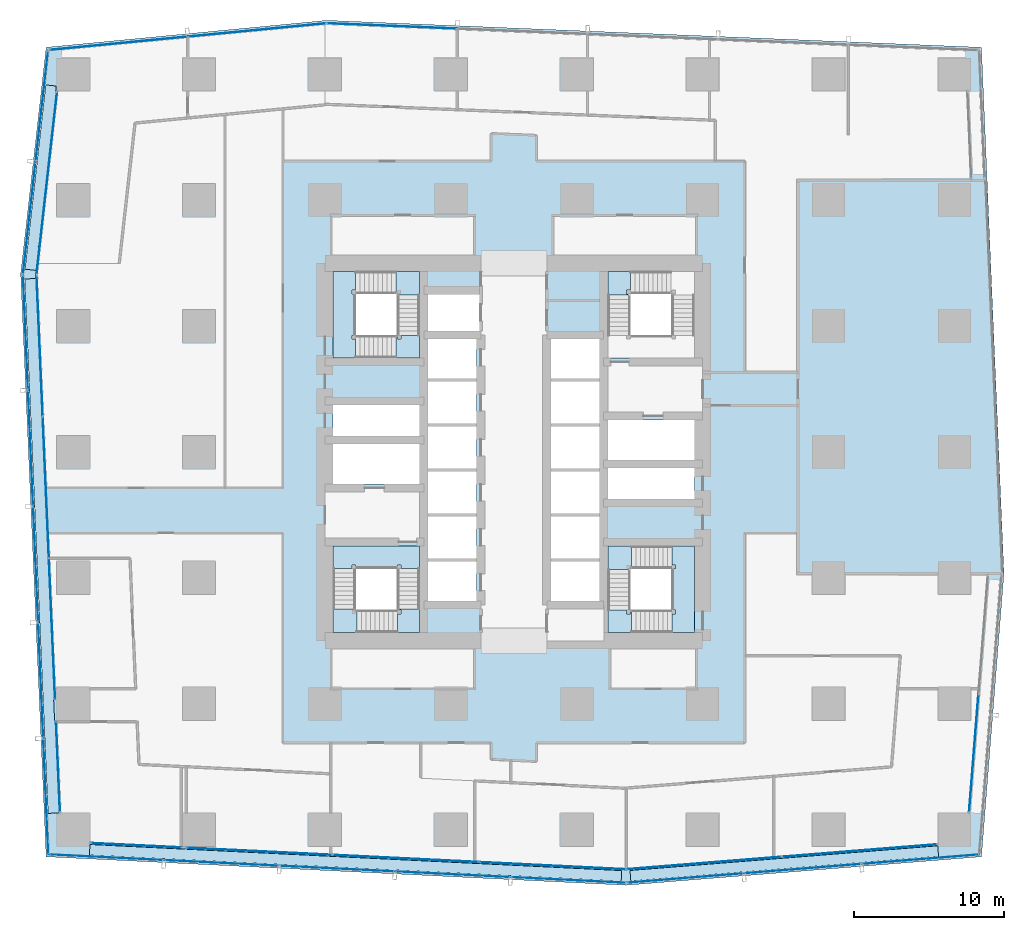
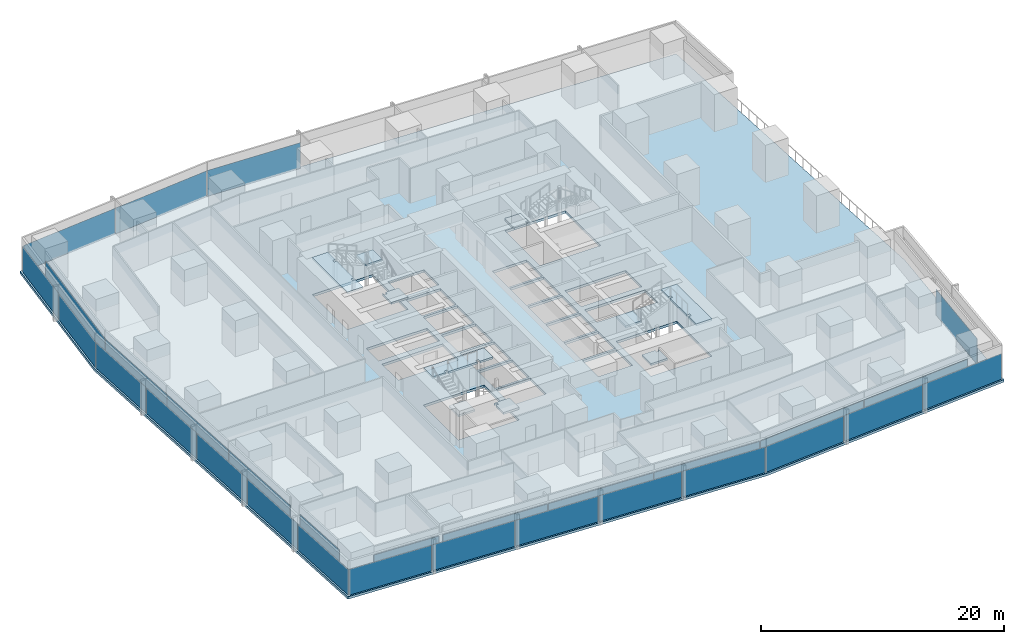
# One storey, part 28 of 42: 34 plates, 11 slabs, 17 elements without a shape of their own.
"""IFC4 building model written with IfcOpenShell, lengths in metres."""

from ifc_helpers import new_model, si_unit, direction, frame, origin, origin_2d, place, context, subcontext, project, spatial, polyline, rectangle, outline, extrude, material, layer, layer_set, type_object, element, aggregate, save


model = new_model("IFC4")

# Units and contexts
model_context = context("Model", 3, precision=1e-05, world=origin(), true_north=direction((0.0, 1.0)))
body_context = subcontext(model_context, "Body", "Model", "MODEL_VIEW")
ifc_project = project(units=[si_unit("LENGTHUNIT", "METRE"), si_unit("AREAUNIT", "SQUARE_METRE"), si_unit("VOLUMEUNIT", "CUBIC_METRE"), si_unit("PLANEANGLEUNIT", "RADIAN"), si_unit("MASSUNIT", "GRAM", prefix="KILO")], contexts=[model_context])

# Site, building, storey
site_placement = place(None, origin())
site = spatial("IfcSite", under=ifc_project, at=site_placement, CompositionType="ELEMENT")
building_placement = place(site_placement, origin())
building = spatial("IfcBuilding", under=site, at=building_placement, Name="Rekha Terrace Tower", CompositionType="ELEMENT")
storey_placement = place(building_placement, frame((0.0, 0.0, 70.39990234375)))
storey = spatial("IfcBuildingStorey", under=building, at=storey_placement, Name="L17", CompositionType="ELEMENT", Elevation=70.39990234375)

# Curtain wall, plate
ifc_material_1 = material(Name="Aluminium framing", Category="aluminium")
curtain_wall_type_1 = type_object("IfcCurtainWallType", Name="CW1 double skin inner glazing", PredefinedType="USERDEFINED", material=ifc_material_1)
curtain_wall_1_placement = place(storey_placement, origin())
curtain_wall_1 = element("IfcCurtainWall", 1, at=curtain_wall_1_placement, inside=storey, type_object=curtain_wall_type_1, Name="CW1 double skin inner glazing", ObjectType="DOUBLE SKIN INNER GLAZING", PredefinedType="USERDEFINED")
ifc_material_2 = material(Name="Double-glazed low-e unit 32", Category="glass")
ifc_layer_1 = layer(ifc_material_2, 0.031982421875)
ifc_layer_set_1 = layer_set([ifc_layer_1], Name="Double-glazed low-e unit 32")
plate_type_1 = type_object("IfcPlateType", Name="CW1 jumbo vision panel, double-glazed low-e unit 32", PredefinedType="CURTAIN_PANEL", material=ifc_layer_set_1)
plate_1_placement = place(storey_placement, frame((12.60009765625, 7.36669921875, 0.0), z_axis=(0.0, 0.0, 1.0), x_axis=(0.998796239977, -0.049051717693, 0.0)))
plate_1 = element("IfcPlate", 2, at=plate_1_placement, type_object=plate_type_1, Name="CW1 panel 1.1", PredefinedType="CURTAIN_PANEL", context=body_context, shape_type="SweptSolid", body=[
    extrude(rectangle(XDim=6.028076171875, YDim=0.031982421875, at=origin_2d()), origin(), (0.0, 0.0, 1.0), 2.60009765625),
])
aggregate(curtain_wall_1, [plate_1])

# Curtain wall, plates
curtain_wall_2_placement = place(storey_placement, origin())
curtain_wall_2 = element("IfcCurtainWall", 3, at=curtain_wall_2_placement, inside=storey, type_object=curtain_wall_type_1, Name="CW1 double skin inner glazing", ObjectType="DOUBLE SKIN INNER GLAZING", PredefinedType="USERDEFINED")
plate_2_placement = place(storey_placement, frame((20.818603515625, 6.962890625, 0.0), z_axis=(0.0, 0.0, 1.0), x_axis=(0.998796239974, -0.049051717746, 0.0)))
plate_2 = element("IfcPlate", 4, at=plate_2_placement, type_object=plate_type_1, Name="CW1 panel 1.1", PredefinedType="CURTAIN_PANEL", context=body_context, shape_type="SweptSolid", body=[
    extrude(rectangle(XDim=9.701904296875, YDim=0.031982421875, at=origin_2d()), origin(), (0.0, 0.0, 1.0), 2.60009765625),
])
plate_3_placement = place(storey_placement, frame((30.590087890625, 6.483154296875, 0.0), z_axis=(0.0, 0.0, 1.0), x_axis=(0.998796239974, -0.049051717746, 0.0)))
plate_3 = element("IfcPlate", 5, at=plate_3_placement, type_object=plate_type_1, Name="CW1 panel 2.1", PredefinedType="CURTAIN_PANEL", context=body_context, shape_type="SweptSolid", body=[
    extrude(rectangle(XDim=9.734619140625, YDim=0.031982421875, at=origin_2d()), origin(), (0.0, 0.0, 1.0), 2.60009765625),
])
plate_4_placement = place(storey_placement, frame((40.39404296875, 6.001708984375, 0.0), z_axis=(0.0, 0.0, 1.0), x_axis=(0.998796239974, -0.049051717746, 0.0)))
plate_4 = element("IfcPlate", 6, at=plate_4_placement, type_object=plate_type_1, Name="CW1 panel 3.1", PredefinedType="CURTAIN_PANEL", context=body_context, shape_type="SweptSolid", body=[
    extrude(rectangle(XDim=9.76708984375, YDim=0.031982421875, at=origin_2d()), origin(), (0.0, 0.0, 1.0), 2.60009765625),
])
aggregate(curtain_wall_2, [plate_2, plate_3, plate_4])

curtain_wall_3_placement = place(storey_placement, origin())
curtain_wall_3 = element("IfcCurtainWall", 7, at=curtain_wall_3_placement, inside=storey, type_object=curtain_wall_type_1, Name="CW1 double skin inner glazing", ObjectType="DOUBLE SKIN INNER GLAZING", PredefinedType="USERDEFINED")
plate_5_placement = place(storey_placement, frame((50.488037109375, 6.18017578125, 0.0), z_axis=(0.0, 0.0, 1.0), x_axis=(0.996805111821, 0.079872204468, 0.0)))
plate_5 = element("IfcPlate", 8, at=plate_5_placement, type_object=plate_type_1, Name="CW1 panel 1.1", PredefinedType="CURTAIN_PANEL", context=body_context, shape_type="SweptSolid", body=[
    extrude(rectangle(XDim=10.336181640625, YDim=0.031982421875, at=origin_2d()), origin(), (0.0, 0.0, 1.0), 2.60009765625),
])
plate_6_placement = place(storey_placement, frame((60.85595703125, 7.0107421875, 0.0), z_axis=(0.0, 0.0, 1.0), x_axis=(0.996805111821, 0.079872204468, 0.0)))
plate_6 = element("IfcPlate", 9, at=plate_6_placement, type_object=plate_type_1, Name="CW1 panel 2.1", PredefinedType="CURTAIN_PANEL", context=body_context, shape_type="SweptSolid", body=[
    extrude(rectangle(XDim=10.336181640625, YDim=0.031982421875, at=origin_2d()), origin(), (0.0, 0.0, 1.0), 2.60009765625),
])
aggregate(curtain_wall_3, [plate_5, plate_6])

# Curtain wall, plate
curtain_wall_4_placement = place(storey_placement, origin())
curtain_wall_4 = element("IfcCurtainWall", 10, at=curtain_wall_4_placement, inside=storey, type_object=curtain_wall_type_1, Name="CW1 double skin inner glazing", ObjectType="DOUBLE SKIN INNER GLAZING", PredefinedType="USERDEFINED")
plate_7_placement = place(storey_placement, frame((68.4853515625, 13.512451171875, 0.0), z_axis=(0.0, 0.0, 1.0), x_axis=(0.079116300982, 0.996865392578, 0.0)))
plate_7 = element("IfcPlate", 11, at=plate_7_placement, type_object=plate_type_1, Name="CW1 panel 1.1", PredefinedType="CURTAIN_PANEL", context=body_context, shape_type="SweptSolid", body=[
    extrude(rectangle(XDim=7.865234375, YDim=0.031982421875, at=origin_2d()), origin(), (0.0, 0.0, 1.0), 2.60009765625),
])
aggregate(curtain_wall_4, [plate_7])

curtain_wall_5_placement = place(storey_placement, origin())
curtain_wall_5 = element("IfcCurtainWall", 12, at=curtain_wall_5_placement, inside=storey, type_object=curtain_wall_type_1, Name="CW1 double skin inner glazing", ObjectType="DOUBLE SKIN INNER GLAZING", PredefinedType="USERDEFINED")
plate_8_placement = place(storey_placement, frame((6.646728515625, 51.52734375, 0.0), z_axis=(0.0, 0.0, 1.0), x_axis=(-0.111729870748, -0.993738615524, 0.0)))
plate_8 = element("IfcPlate", 13, at=plate_8_placement, type_object=plate_type_1, Name="CW1 panel 1.1", PredefinedType="CURTAIN_PANEL", context=body_context, shape_type="SweptSolid", body=[
    extrude(rectangle(XDim=12.243896484375, YDim=0.031982421875, at=origin_2d()), origin(), (0.0, 0.0, 1.0), 2.60009765625),
])
aggregate(curtain_wall_5, [plate_8])

# Curtain wall, plates
curtain_wall_6_placement = place(storey_placement, origin())
curtain_wall_6 = element("IfcCurtainWall", 14, at=curtain_wall_6_placement, inside=storey, type_object=curtain_wall_type_1, Name="CW1 double skin inner glazing", ObjectType="DOUBLE SKIN INNER GLAZING", PredefinedType="USERDEFINED")
plate_9_placement = place(storey_placement, frame((6.170166015625, 40.69482421875, 0.0), z_axis=(0.0, 0.0, 1.0), x_axis=(0.043682543337, -0.999045462133, 0.0)))
plate_9 = element("IfcPlate", 15, at=plate_9_placement, type_object=plate_type_1, Name="CW1 panel 1.1", PredefinedType="CURTAIN_PANEL", context=body_context, shape_type="SweptSolid", body=[
    extrude(rectangle(XDim=9.376953125, YDim=0.031982421875, at=origin_2d()), origin(), (0.0, 0.0, 1.0), 2.60009765625),
])
plate_10_placement = place(storey_placement, frame((6.58349609375, 31.245361328125, 0.0), z_axis=(0.0, 0.0, 1.0), x_axis=(0.043682543337, -0.999045462133, 0.0)))
plate_10 = element("IfcPlate", 16, at=plate_10_placement, type_object=plate_type_1, Name="CW1 panel 2.1", PredefinedType="CURTAIN_PANEL", context=body_context, shape_type="SweptSolid", body=[
    extrude(rectangle(XDim=9.40966796875, YDim=0.031982421875, at=origin_2d()), origin(), (0.0, 0.0, 1.0), 2.60009765625),
])
plate_11_placement = place(storey_placement, frame((6.99658203125, 21.796142578125, 0.0), z_axis=(0.0, 0.0, 1.0), x_axis=(0.043682543337, -0.999045462133, 0.0)))
plate_11 = element("IfcPlate", 17, at=plate_11_placement, type_object=plate_type_1, Name="CW1 panel 3.1", PredefinedType="CURTAIN_PANEL", context=body_context, shape_type="SweptSolid", body=[
    extrude(rectangle(XDim=9.376953125, YDim=0.031982421875, at=origin_2d()), origin(), (0.0, 0.0, 1.0), 2.60009765625),
])
aggregate(curtain_wall_6, [plate_9, plate_10, plate_11])

# Curtain wall, plate
curtain_wall_7_placement = place(storey_placement, origin())
curtain_wall_7 = element("IfcCurtainWall", 18, at=curtain_wall_7_placement, inside=storey, type_object=curtain_wall_type_1, Name="CW1 double skin inner glazing", ObjectType="DOUBLE SKIN INNER GLAZING", PredefinedType="USERDEFINED")
plate_12_placement = place(storey_placement, frame((7.398681640625, 12.60009765625, 0.0), z_axis=(0.0, 0.0, 1.0), x_axis=(0.043682543424, -0.999045462129, 0.0)))
plate_12 = element("IfcPlate", 19, at=plate_12_placement, type_object=plate_type_1, Name="CW1 panel 1.1", PredefinedType="CURTAIN_PANEL", context=body_context, shape_type="SweptSolid", body=[
    extrude(rectangle(XDim=6.027587890625, YDim=0.031982421875, at=origin_2d()), origin(), (0.0, 0.0, 1.0), 2.60009765625),
])
aggregate(curtain_wall_7, [plate_12])

# Curtain wall, plates
curtain_wall_type_2 = type_object("IfcCurtainWallType", Name="CW2 double skin outer glazing", PredefinedType="USERDEFINED", material=ifc_material_1)
curtain_wall_8_placement = place(storey_placement, origin())
curtain_wall_8 = element("IfcCurtainWall", 20, at=curtain_wall_8_placement, inside=storey, type_object=curtain_wall_type_2, Name="CW2 double skin outer glazing", ObjectType="DOUBLE SKIN OUTER GLAZING", PredefinedType="USERDEFINED")
ifc_material_3 = material(Name="Toughened single glazing 12", Category="glass")
ifc_layer_2 = layer(ifc_material_3, 0.011962890625)
ifc_layer_set_2 = layer_set([ifc_layer_2], Name="Toughened single glazing 12")
plate_type_2 = type_object("IfcPlateType", Name="CW2 jumbo vision panel, toughened single glazing 12", PredefinedType="CURTAIN_PANEL", material=ifc_layer_set_2)
plate_13_placement = place(storey_placement, frame((10.626708984375, 6.5625, 0.0), z_axis=(0.0, 0.0, 1.0), x_axis=(0.998796239974, -0.049051717746, 0.0)))
plate_13 = element("IfcPlate", 21, at=plate_13_placement, type_object=plate_type_2, Name="CW2 panel 1.1", PredefinedType="CURTAIN_PANEL", context=body_context, shape_type="SweptSolid", body=[
    extrude(rectangle(XDim=7.595703125, YDim=0.011962890625, at=origin_2d()), origin(), (0.0, 0.0, 1.0), 2.60009765625),
])
plate_14_placement = place(storey_placement, frame((18.31298828125, 6.18505859375, 0.0), z_axis=(0.0, 0.0, 1.0), x_axis=(0.998796239974, -0.049051717746, 0.0)))
plate_14 = element("IfcPlate", 22, at=plate_14_placement, type_object=plate_type_2, Name="CW2 panel 2.1", PredefinedType="CURTAIN_PANEL", context=body_context, shape_type="SweptSolid", body=[
    extrude(rectangle(XDim=7.6357421875, YDim=0.011962890625, at=origin_2d()), origin(), (0.0, 0.0, 1.0), 2.60009765625),
])
plate_15_placement = place(storey_placement, frame((26.01953125, 5.806396484375, 0.0), z_axis=(0.0, 0.0, 1.0), x_axis=(0.998796239974, -0.049051717746, 0.0)))
plate_15 = element("IfcPlate", 23, at=plate_15_placement, type_object=plate_type_2, Name="CW2 panel 3.1", PredefinedType="CURTAIN_PANEL", context=body_context, shape_type="SweptSolid", body=[
    extrude(rectangle(XDim=7.6357421875, YDim=0.011962890625, at=origin_2d()), origin(), (0.0, 0.0, 1.0), 2.60009765625),
])
plate_16_placement = place(storey_placement, frame((33.725830078125, 5.427978515625, 0.0), z_axis=(0.0, 0.0, 1.0), x_axis=(0.998796239974, -0.049051717746, 0.0)))
plate_16 = element("IfcPlate", 24, at=plate_16_placement, type_object=plate_type_2, Name="CW2 panel 4.1", PredefinedType="CURTAIN_PANEL", context=body_context, shape_type="SweptSolid", body=[
    extrude(rectangle(XDim=7.6357421875, YDim=0.011962890625, at=origin_2d()), origin(), (0.0, 0.0, 1.0), 2.60009765625),
])
plate_17_placement = place(storey_placement, frame((41.452392578125, 5.048583984375, 0.0), z_axis=(0.0, 0.0, 1.0), x_axis=(0.998796239974, -0.049051717746, 0.0)))
plate_17 = element("IfcPlate", 25, at=plate_17_placement, type_object=plate_type_2, Name="CW2 panel 5.1", PredefinedType="CURTAIN_PANEL", context=body_context, shape_type="SweptSolid", body=[
    extrude(rectangle(XDim=7.67578125, YDim=0.011962890625, at=origin_2d()), origin(), (0.0, 0.0, 1.0), 2.60009765625),
])
aggregate(curtain_wall_8, [plate_13, plate_14, plate_15, plate_16, plate_17])

curtain_wall_9_placement = place(storey_placement, origin())
curtain_wall_9 = element("IfcCurtainWall", 26, at=curtain_wall_9_placement, inside=storey, type_object=curtain_wall_type_2, Name="CW2 double skin outer glazing", ObjectType="DOUBLE SKIN OUTER GLAZING", PredefinedType="USERDEFINED")
plate_18_placement = place(storey_placement, frame((49.233154296875, 5.176513671875, 0.0), z_axis=(0.0, 0.0, 1.0), x_axis=(0.996805111821, 0.079872204468, 0.0)))
plate_18 = element("IfcPlate", 27, at=plate_18_placement, type_object=plate_type_2, Name="CW2 panel 1.1", PredefinedType="CURTAIN_PANEL", context=body_context, shape_type="SweptSolid", body=[
    extrude(rectangle(XDim=7.760498046875, YDim=0.011962890625, at=origin_2d()), origin(), (0.0, 0.0, 1.0), 2.60009765625),
])
plate_19_placement = place(storey_placement, frame((57.068359375, 5.804443359375, 0.0), z_axis=(0.0, 0.0, 1.0), x_axis=(0.996805111821, 0.079872204468, 0.0)))
plate_19 = element("IfcPlate", 28, at=plate_19_placement, type_object=plate_type_2, Name="CW2 panel 2.1", PredefinedType="CURTAIN_PANEL", context=body_context, shape_type="SweptSolid", body=[
    extrude(rectangle(XDim=7.800537109375, YDim=0.011962890625, at=origin_2d()), origin(), (0.0, 0.0, 1.0), 2.60009765625),
])
plate_20_placement = place(storey_placement, frame((64.943603515625, 6.435546875, 0.0), z_axis=(0.0, 0.0, 1.0), x_axis=(0.996805111821, 0.079872204468, 0.0)))
plate_20 = element("IfcPlate", 29, at=plate_20_placement, type_object=plate_type_2, Name="CW2 panel 3.1", PredefinedType="CURTAIN_PANEL", context=body_context, shape_type="SweptSolid", body=[
    extrude(rectangle(XDim=7.84033203125, YDim=0.011962890625, at=origin_2d()), origin(), (0.0, 0.0, 1.0), 2.60009765625),
])
aggregate(curtain_wall_9, [plate_18, plate_19, plate_20])

curtain_wall_10_placement = place(storey_placement, origin())
curtain_wall_10 = element("IfcCurtainWall", 30, at=curtain_wall_10_placement, inside=storey, type_object=curtain_wall_type_2, Name="CW2 double skin outer glazing", ObjectType="DOUBLE SKIN OUTER GLAZING", PredefinedType="USERDEFINED")
plate_21_placement = place(storey_placement, frame((6.3212890625, 56.688720703125, 0.0), z_axis=(0.0, 0.0, 1.0), x_axis=(-0.111729870782, -0.99373861552, 0.0)))
plate_21 = element("IfcPlate", 31, at=plate_21_placement, type_object=plate_type_2, Name="CW2 panel 1.1", PredefinedType="CURTAIN_PANEL", context=body_context, shape_type="SweptSolid", body=[
    extrude(rectangle(XDim=7.41650390625, YDim=0.011962890625, at=origin_2d()), origin(), (0.0, 0.0, 1.0), 2.60009765625),
])
plate_22_placement = place(storey_placement, frame((5.479248046875, 49.19921875, 0.0), z_axis=(0.0, 0.0, 1.0), x_axis=(-0.111729870782, -0.99373861552, 0.0)))
plate_22 = element("IfcPlate", 32, at=plate_22_placement, type_object=plate_type_2, Name="CW2 panel 2.1", PredefinedType="CURTAIN_PANEL", context=body_context, shape_type="SweptSolid", body=[
    extrude(rectangle(XDim=7.49658203125, YDim=0.011962890625, at=origin_2d()), origin(), (0.0, 0.0, 1.0), 2.60009765625),
])
aggregate(curtain_wall_10, [plate_21, plate_22])

curtain_wall_11_placement = place(storey_placement, origin())
curtain_wall_11 = element("IfcCurtainWall", 33, at=curtain_wall_11_placement, inside=storey, type_object=curtain_wall_type_2, Name="CW2 double skin outer glazing", ObjectType="DOUBLE SKIN OUTER GLAZING", PredefinedType="USERDEFINED")
plate_23_placement = place(storey_placement, frame((5.23046875, 41.582275390625, 0.0), z_axis=(0.0, 0.0, 1.0), x_axis=(0.043682543372, -0.999045462131, 0.0)))
plate_23 = element("IfcPlate", 34, at=plate_23_placement, type_object=plate_type_2, Name="CW2 panel 1.1", PredefinedType="CURTAIN_PANEL", context=body_context, shape_type="SweptSolid", body=[
    extrude(rectangle(XDim=7.6318359375, YDim=0.011962890625, at=origin_2d()), origin(), (0.0, 0.0, 1.0), 2.60009765625),
])
plate_24_placement = place(storey_placement, frame((5.568359375, 33.85791015625, 0.0), z_axis=(0.0, 0.0, 1.0), x_axis=(0.043682543372, -0.999045462131, 0.0)))
plate_24 = element("IfcPlate", 35, at=plate_24_placement, type_object=plate_type_2, Name="CW2 panel 2.1", PredefinedType="CURTAIN_PANEL", context=body_context, shape_type="SweptSolid", body=[
    extrude(rectangle(XDim=7.671875, YDim=0.011962890625, at=origin_2d()), origin(), (0.0, 0.0, 1.0), 2.60009765625),
])
plate_25_placement = place(storey_placement, frame((5.906982421875, 26.113525390625, 0.0), z_axis=(0.0, 0.0, 1.0), x_axis=(0.043682543372, -0.999045462131, 0.0)))
plate_25 = element("IfcPlate", 36, at=plate_25_placement, type_object=plate_type_2, Name="CW2 panel 3.1", PredefinedType="CURTAIN_PANEL", context=body_context, shape_type="SweptSolid", body=[
    extrude(rectangle(XDim=7.671875, YDim=0.011962890625, at=origin_2d()), origin(), (0.0, 0.0, 1.0), 2.60009765625),
])
plate_26_placement = place(storey_placement, frame((6.24560546875, 18.369140625, 0.0), z_axis=(0.0, 0.0, 1.0), x_axis=(0.043682543372, -0.999045462131, 0.0)))
plate_26 = element("IfcPlate", 37, at=plate_26_placement, type_object=plate_type_2, Name="CW2 panel 4.1", PredefinedType="CURTAIN_PANEL", context=body_context, shape_type="SweptSolid", body=[
    extrude(rectangle(XDim=7.671875, YDim=0.011962890625, at=origin_2d()), origin(), (0.0, 0.0, 1.0), 2.60009765625),
])
plate_27_placement = place(storey_placement, frame((6.5849609375, 10.60498046875, 0.0), z_axis=(0.0, 0.0, 1.0), x_axis=(0.043682543372, -0.999045462131, 0.0)))
plate_27 = element("IfcPlate", 38, at=plate_27_placement, type_object=plate_type_2, Name="CW2 panel 5.1", PredefinedType="CURTAIN_PANEL", context=body_context, shape_type="SweptSolid", body=[
    extrude(rectangle(XDim=7.711669921875, YDim=0.011962890625, at=origin_2d()), origin(), (0.0, 0.0, 1.0), 2.60009765625),
])
aggregate(curtain_wall_11, [plate_23, plate_24, plate_25, plate_26, plate_27])

# Curtain wall, plate
curtain_wall_type_3 = type_object("IfcCurtainWallType", Name="CW3 north unitised glazing", PredefinedType="USERDEFINED", material=ifc_material_1)
curtain_wall_12_placement = place(storey_placement, origin())
curtain_wall_12 = element("IfcCurtainWall", 39, at=curtain_wall_12_placement, inside=storey, type_object=curtain_wall_type_3, Name="CW3 unitised curtain wall", ObjectType="UNITISED CURTAIN WALL", PredefinedType="USERDEFINED")
ifc_material_4 = material(Name="Double-glazed unit 28", Category="glass")
ifc_layer_3 = layer(ifc_material_4, 0.028076171875)
ifc_layer_set_3 = layer_set([ifc_layer_3], Name="Double-glazed unit 28")
plate_type_3 = type_object("IfcPlateType", Name="CW3 jumbo vision panel, double-glazed unit 28", PredefinedType="CURTAIN_PANEL", material=ifc_layer_set_3)
plate_28_placement = place(storey_placement, frame((29.65625, 62.021240234375, 0.0), z_axis=(0.0, 0.0, 1.0), x_axis=(-0.999151997647, 0.041173846041, 0.0)))
plate_28 = element("IfcPlate", 40, at=plate_28_placement, type_object=plate_type_3, Name="CW3 panel 5.1", PredefinedType="CURTAIN_PANEL", context=body_context, shape_type="SweptSolid", body=[
    extrude(rectangle(XDim=8.6689453125, YDim=0.028076171875, at=origin_2d()), origin(), (0.0, 0.0, 1.0), 2.60009765625),
])
aggregate(curtain_wall_12, [plate_28])

# Curtain wall, plates
curtain_wall_13_placement = place(storey_placement, origin())
curtain_wall_13 = element("IfcCurtainWall", 41, at=curtain_wall_13_placement, inside=storey, type_object=curtain_wall_type_3, Name="CW3 unitised curtain wall", ObjectType="UNITISED CURTAIN WALL", PredefinedType="USERDEFINED")
plate_29_placement = place(storey_placement, frame((20.671875, 61.752197265625, 0.0), z_axis=(0.0, 0.0, 1.0), x_axis=(-0.995409029102, -0.095712406625, 0.0)))
plate_29 = element("IfcPlate", 42, at=plate_29_placement, type_object=plate_type_3, Name="CW3 panel 1.1", PredefinedType="CURTAIN_PANEL", context=body_context, shape_type="SweptSolid", body=[
    extrude(rectangle(XDim=9.210205078125, YDim=0.028076171875, at=origin_2d()), origin(), (0.0, 0.0, 1.0), 2.60009765625),
])
plate_30_placement = place(storey_placement, frame((11.434326171875, 60.864013671875, 0.0), z_axis=(0.0, 0.0, 1.0), x_axis=(-0.995409029102, -0.095712406625, 0.0)))
plate_30 = element("IfcPlate", 43, at=plate_30_placement, type_object=plate_type_3, Name="CW3 panel 2.1", PredefinedType="CURTAIN_PANEL", context=body_context, shape_type="SweptSolid", body=[
    extrude(rectangle(XDim=9.210205078125, YDim=0.028076171875, at=origin_2d()), origin(), (0.0, 0.0, 1.0), 2.60009765625),
])
aggregate(curtain_wall_13, [plate_29, plate_30])

# Plates
ifc_material_5 = material(Name="Galvanised steel open grating", Category="steel")
ifc_layer_4 = layer(ifc_material_5, 0.050048828125)
ifc_layer_set_4 = layer_set([ifc_layer_4], Name="Galvanised steel open grating")
plate_type_4 = type_object("IfcPlateType", Name="GT1 cavity walkway grating 50", PredefinedType="USERDEFINED", material=ifc_layer_set_4)
plate_31_placement = place(storey_placement, frame((27.24365234375, 6.197021484375, 0.0), z_axis=(0.0, 0.0, 1.0), x_axis=(0.998796239974, -0.049051717746, 0.0)))
element("IfcPlate", 44, at=plate_31_placement, inside=storey, type_object=plate_type_4, Name="Cavity walkway grating", ObjectType="CAVITY WALKWAY GRATING", PredefinedType="USERDEFINED", context=body_context, shape_type="SweptSolid", body=[
    extrude(rectangle(XDim=35.512939453125, YDim=0.705078125, at=origin_2d()), origin(), (0.0, 0.0, 1.0), 0.050048828125),
])
plate_32_placement = place(storey_placement, frame((55.841552734375, 6.15771484375, 0.0), z_axis=(0.0, 0.0, 1.0), x_axis=(0.996805111821, 0.079872204468, 0.0)))
element("IfcPlate", 45, at=plate_32_placement, inside=storey, type_object=plate_type_4, Name="Cavity walkway grating", ObjectType="CAVITY WALKWAY GRATING", PredefinedType="USERDEFINED", context=body_context, shape_type="SweptSolid", body=[
    extrude(rectangle(XDim=20.59375, YDim=0.705078125, at=origin_2d()), origin(), (0.0, 0.0, 1.0), 0.050048828125),
])
plate_33_placement = place(storey_placement, frame((6.236328125, 51.90576171875, 0.0), z_axis=(0.0, 0.0, 1.0), x_axis=(-0.1117298708, -0.993738615518, 0.0)))
element("IfcPlate", 46, at=plate_33_placement, inside=storey, type_object=plate_type_4, Name="Cavity walkway grating", ObjectType="CAVITY WALKWAY GRATING", PredefinedType="USERDEFINED", context=body_context, shape_type="SweptSolid", body=[
    extrude(rectangle(XDim=12.374267578125, YDim=0.705078125, at=origin_2d()), origin(), (0.0, 0.0, 1.0), 0.050048828125),
])
plate_34_placement = place(storey_placement, frame((6.303955078125, 27.3349609375, 0.0), z_axis=(0.0, 0.0, 1.0), x_axis=(0.043682543355, -0.999045462132, 0.0)))
element("IfcPlate", 47, at=plate_34_placement, inside=storey, type_object=plate_type_4, Name="Cavity walkway grating", ObjectType="CAVITY WALKWAY GRATING", PredefinedType="USERDEFINED", context=body_context, shape_type="SweptSolid", body=[
    extrude(rectangle(XDim=35.682861328125, YDim=0.705078125, at=origin_2d()), origin(), (0.0, 0.0, 1.0), 0.050048828125),
])

# Stair, slabs
ifc_material_6 = material(Name="Concrete M40", Category="concrete")
stair_type = type_object("IfcStairType", Name="ST30 stair, 30 risers of 125, going 300, 1500 wide flights, 3 flights", PredefinedType="HALF_TURN_STAIR", material=ifc_material_6)
stair_1_placement = place(storey_placement, origin())
stair_1 = element("IfcStair", 48, at=stair_1_placement, inside=storey, type_object=stair_type, Name="Stair ST1 L17 to L18", PredefinedType="HALF_TURN_STAIR")
ifc_layer_5 = layer(ifc_material_6, 0.199951171875)
ifc_layer_set_5 = layer_set([ifc_layer_5], Name="Concrete M40")
slab_type_1 = type_object("IfcSlabType", Name="LD1 200 concrete stair landing", PredefinedType="LANDING", material=ifc_layer_set_5)
slab_1_placement = place(storey_placement, frame((0.0, 0.0, 1.050048828125)))
slab_1 = element("IfcSlab", 49, at=slab_1_placement, type_object=slab_type_1, Name="ST1 landing 1", PredefinedType="LANDING", context=body_context, shape_type="SweptSolid", body=[
    extrude(outline(polyline([(30.02490234375, 21.550048828125), (31.52490234375, 21.550048828125), (31.52490234375, 23.125), (30.02490234375, 23.125), (30.02490234375, 23.050048828125), (30.27490234375, 23.050048828125), (30.27490234375, 22.800048828125), (30.02490234375, 22.800048828125), (30.02490234375, 21.550048828125)])), origin(), (0.0, 0.0, 1.0), 0.199951171875),
])
slab_2_placement = place(storey_placement, frame((0.0, 0.0, 2.300048828125)))
slab_2 = element("IfcSlab", 50, at=slab_2_placement, type_object=slab_type_1, Name="ST1 landing 2", PredefinedType="LANDING", context=body_context, shape_type="SweptSolid", body=[
    extrude(outline(polyline([(27.25, 23.125), (25.75, 23.125), (25.75, 21.550048828125), (27.324951171875, 21.550048828125), (27.324951171875, 23.050048828125), (27.25, 23.050048828125), (27.25, 23.125)])), origin(), (0.0, 0.0, 1.0), 0.199951171875),
])
slab_3_placement = place(storey_placement, frame((0.0, 0.0, 3.550048828125)))
slab_3 = element("IfcSlab", 51, at=slab_3_placement, type_object=slab_type_1, Name="ST1 landing 3", PredefinedType="LANDING", context=body_context, shape_type="SweptSolid", body=[
    extrude(outline(polyline([(31.52490234375, 25.824951171875), (31.52490234375, 27.324951171875), (25.75, 27.324951171875), (25.75, 25.824951171875), (27.0, 25.824951171875), (27.0, 26.074951171875), (27.25, 26.074951171875), (27.25, 25.824951171875), (30.02490234375, 25.824951171875), (30.02490234375, 26.074951171875), (30.27490234375, 26.074951171875), (30.27490234375, 25.824951171875), (31.52490234375, 25.824951171875)])), origin(), (0.0, 0.0, 1.0), 0.199951171875),
])
aggregate(stair_1, [slab_1, slab_2, slab_3])

# Stair, slab
stair_2_placement = place(storey_placement, origin())
stair_2 = element("IfcStair", 52, at=stair_2_placement, inside=storey, type_object=stair_type, Name="Stair ST2 L17 to L18", PredefinedType="HALF_TURN_STAIR")
slab_4_placement = place(storey_placement, frame((0.0, 0.0, 1.050048828125)))
slab_4 = element("IfcSlab", 53, at=slab_4_placement, type_object=slab_type_1, Name="ST2 landing 1", PredefinedType="LANDING", context=body_context, shape_type="SweptSolid", body=[
    extrude(outline(polyline([(45.574951171875, 45.64990234375), (44.074951171875, 45.64990234375), (44.074951171875, 44.074951171875), (45.574951171875, 44.074951171875), (45.574951171875, 44.14990234375), (45.324951171875, 44.14990234375), (45.324951171875, 44.39990234375), (45.574951171875, 44.39990234375), (45.574951171875, 45.64990234375)])), origin(), (0.0, 0.0, 1.0), 0.199951171875),
])
aggregate(stair_2, [slab_4])

# Stair, slabs
stair_3_placement = place(storey_placement, origin())
stair_3 = element("IfcStair", 54, at=stair_3_placement, inside=storey, type_object=stair_type, Name="Stair ST3 L17 to L18", PredefinedType="HALF_TURN_STAIR")
slab_5_placement = place(storey_placement, frame((0.0, 0.0, 1.050048828125)))
slab_5 = element("IfcSlab", 55, at=slab_5_placement, type_object=slab_type_1, Name="ST3 landing 1", PredefinedType="LANDING", context=body_context, shape_type="SweptSolid", body=[
    extrude(outline(polyline([(44.074951171875, 23.050048828125), (44.074951171875, 21.550048828125), (45.64990234375, 21.550048828125), (45.64990234375, 23.050048828125), (45.574951171875, 23.050048828125), (45.574951171875, 22.800048828125), (45.324951171875, 22.800048828125), (45.324951171875, 23.050048828125), (44.074951171875, 23.050048828125)])), origin(), (0.0, 0.0, 1.0), 0.199951171875),
])
slab_6_placement = place(storey_placement, frame((0.0, 0.0, 2.300048828125)))
slab_6 = element("IfcSlab", 56, at=slab_6_placement, type_object=slab_type_1, Name="ST3 landing 2", PredefinedType="LANDING", context=body_context, shape_type="SweptSolid", body=[
    extrude(outline(polyline([(45.64990234375, 25.824951171875), (45.64990234375, 27.324951171875), (44.074951171875, 27.324951171875), (44.074951171875, 25.75), (45.574951171875, 25.75), (45.574951171875, 25.824951171875), (45.64990234375, 25.824951171875)])), origin(), (0.0, 0.0, 1.0), 0.199951171875),
])
slab_7_placement = place(storey_placement, frame((0.0, 0.0, 3.550048828125)))
slab_7 = element("IfcSlab", 57, at=slab_7_placement, type_object=slab_type_1, Name="ST3 landing 3", PredefinedType="LANDING", context=body_context, shape_type="SweptSolid", body=[
    extrude(outline(polyline([(48.35009765625, 21.550048828125), (49.85009765625, 21.550048828125), (49.85009765625, 27.324951171875), (48.35009765625, 27.324951171875), (48.35009765625, 26.074951171875), (48.60009765625, 26.074951171875), (48.60009765625, 25.824951171875), (48.35009765625, 25.824951171875), (48.35009765625, 23.050048828125), (48.60009765625, 23.050048828125), (48.60009765625, 22.800048828125), (48.35009765625, 22.800048828125), (48.35009765625, 21.550048828125)])), origin(), (0.0, 0.0, 1.0), 0.199951171875),
])
aggregate(stair_3, [slab_5, slab_6, slab_7])

stair_4_placement = place(storey_placement, origin())
stair_4 = element("IfcStair", 58, at=stair_4_placement, inside=storey, type_object=stair_type, Name="Stair ST4 L17 to L18", PredefinedType="HALF_TURN_STAIR")
slab_8_placement = place(storey_placement, frame((0.0, 0.0, 1.050048828125)))
slab_8 = element("IfcSlab", 59, at=slab_8_placement, type_object=slab_type_1, Name="ST4 landing 1", PredefinedType="LANDING", context=body_context, shape_type="SweptSolid", body=[
    extrude(outline(polyline([(31.52490234375, 41.375), (31.52490234375, 39.875), (29.949951171875, 39.875), (29.949951171875, 41.375), (30.02490234375, 41.375), (30.02490234375, 41.125), (30.27490234375, 41.125), (30.27490234375, 41.375), (31.52490234375, 41.375)])), origin(), (0.0, 0.0, 1.0), 0.199951171875),
])
slab_9_placement = place(storey_placement, frame((0.0, 0.0, 2.300048828125)))
slab_9 = element("IfcSlab", 60, at=slab_9_placement, type_object=slab_type_1, Name="ST4 landing 2", PredefinedType="LANDING", context=body_context, shape_type="SweptSolid", body=[
    extrude(outline(polyline([(29.949951171875, 44.14990234375), (29.949951171875, 45.64990234375), (31.52490234375, 45.64990234375), (31.52490234375, 44.074951171875), (30.02490234375, 44.074951171875), (30.02490234375, 44.14990234375), (29.949951171875, 44.14990234375)])), origin(), (0.0, 0.0, 1.0), 0.199951171875),
])
slab_10_placement = place(storey_placement, frame((0.0, 0.0, 3.550048828125)))
slab_10 = element("IfcSlab", 61, at=slab_10_placement, type_object=slab_type_1, Name="ST4 landing 3", PredefinedType="LANDING", context=body_context, shape_type="SweptSolid", body=[
    extrude(outline(polyline([(27.25, 39.875), (25.75, 39.875), (25.75, 45.64990234375), (27.25, 45.64990234375), (27.25, 44.39990234375), (27.0, 44.39990234375), (27.0, 44.14990234375), (27.25, 44.14990234375), (27.25, 41.375), (27.0, 41.375), (27.0, 41.125), (27.25, 41.125), (27.25, 39.875)])), origin(), (0.0, 0.0, 1.0), 0.199951171875),
])
aggregate(stair_4, [slab_8, slab_9, slab_10])

# Slab
ifc_material_7 = material(Name="Concrete M50", Category="concrete")
ifc_layer_6 = layer(ifc_material_7, 0.25)
ifc_layer_set_6 = layer_set([ifc_layer_6], Name="Concrete M50")
slab_type_2 = type_object("IfcSlabType", Name="SL4 250 post-tensioned flat plate", PredefinedType="FLOOR", material=ifc_layer_set_6)
slab_11_placement = place(storey_placement, frame((0.0, 0.0, -0.25)))
element("IfcSlab", 62, at=slab_11_placement, inside=storey, type_object=slab_type_2, Name="Post-tensioned flat plate L17", PredefinedType="FLOOR", context=body_context, shape_type="SweptSolid", body=[
    extrude(outline(polyline([(4.89990234375, 45.47998046875), (6.60009765625, 6.60009765625), (45.2880859375, 4.699951171875), (69.0, 6.60009765625), (70.5, 25.5), (69.0, 60.60009765625), (25.320068359375, 62.39990234375), (6.60009765625, 60.60009765625), (4.89990234375, 45.47998046875)]), holes=[polyline([(31.52490234375, 27.324951171875), (31.52490234375, 21.550048828125), (25.75, 21.550048828125), (25.75, 27.324951171875), (31.52490234375, 27.324951171875)]), polyline([(35.324951171875, 26.300048828125), (35.324951171875, 23.675048828125), (32.074951171875, 23.675048828125), (32.074951171875, 26.300048828125), (35.324951171875, 26.300048828125)]), polyline([(35.324951171875, 29.300048828125), (35.324951171875, 26.5), (32.074951171875, 26.5), (32.074951171875, 29.300048828125), (35.324951171875, 29.300048828125)]), polyline([(35.324951171875, 29.5), (32.074951171875, 29.5), (32.074951171875, 32.300048828125), (35.324951171875, 32.300048828125), (35.324951171875, 29.5)]), polyline([(31.52490234375, 31.47509765625), (25.75, 31.47509765625), (25.75, 34.125), (31.52490234375, 34.125), (31.52490234375, 31.47509765625)]), polyline([(35.324951171875, 35.300048828125), (35.324951171875, 32.5), (32.074951171875, 32.5), (32.074951171875, 35.300048828125), (35.324951171875, 35.300048828125)]), polyline([(31.52490234375, 36.72509765625), (31.52490234375, 34.675048828125), (25.75, 34.675048828125), (25.75, 36.72509765625), (31.52490234375, 36.72509765625)]), polyline([(35.324951171875, 38.300048828125), (35.324951171875, 35.5), (32.074951171875, 35.5), (32.074951171875, 38.300048828125), (35.324951171875, 38.300048828125)]), polyline([(35.324951171875, 38.5), (32.074951171875, 38.5), (32.074951171875, 41.125), (35.324951171875, 41.125), (35.324951171875, 38.5)]), polyline([(31.52490234375, 39.875), (25.75, 39.875), (25.75, 45.64990234375), (31.52490234375, 45.64990234375), (31.52490234375, 39.875)]), polyline([(35.5, 44.125), (35.5, 41.675048828125), (32.074951171875, 41.675048828125), (32.074951171875, 44.125), (35.5, 44.125)]), polyline([(49.85009765625, 27.324951171875), (49.85009765625, 21.550048828125), (44.074951171875, 21.550048828125), (44.074951171875, 27.324951171875), (49.85009765625, 27.324951171875)]), polyline([(43.52490234375, 26.300048828125), (43.52490234375, 23.675048828125), (40.27490234375, 23.675048828125), (40.27490234375, 26.300048828125), (43.52490234375, 26.300048828125)]), polyline([(43.52490234375, 26.5), (40.27490234375, 26.5), (40.27490234375, 29.300048828125), (43.52490234375, 29.300048828125), (43.52490234375, 26.5)]), polyline([(43.52490234375, 29.5), (40.27490234375, 29.5), (40.27490234375, 32.300048828125), (43.52490234375, 32.300048828125), (43.52490234375, 29.5)]), polyline([(49.85009765625, 32.52490234375), (49.85009765625, 30.47509765625), (44.074951171875, 30.47509765625), (44.074951171875, 32.52490234375), (49.85009765625, 32.52490234375)]), polyline([(43.52490234375, 32.5), (40.27490234375, 32.5), (40.27490234375, 35.300048828125), (43.52490234375, 35.300048828125), (43.52490234375, 32.5)]), polyline([(49.85009765625, 33.074951171875), (44.074951171875, 33.074951171875), (44.074951171875, 35.72509765625), (49.85009765625, 35.72509765625), (49.85009765625, 33.074951171875)]), polyline([(43.52490234375, 38.300048828125), (43.52490234375, 35.5), (40.27490234375, 35.5), (40.27490234375, 38.300048828125), (43.52490234375, 38.300048828125)]), polyline([(43.52490234375, 38.5), (40.27490234375, 38.5), (40.27490234375, 41.125), (43.52490234375, 41.125), (43.52490234375, 38.5)]), polyline([(49.85009765625, 39.875), (44.074951171875, 39.875), (44.074951171875, 45.64990234375), (49.85009765625, 45.64990234375), (49.85009765625, 39.875)])]), origin(), (0.0, 0.0, 1.0), 0.25),
])

save(model, "model.ifc")
